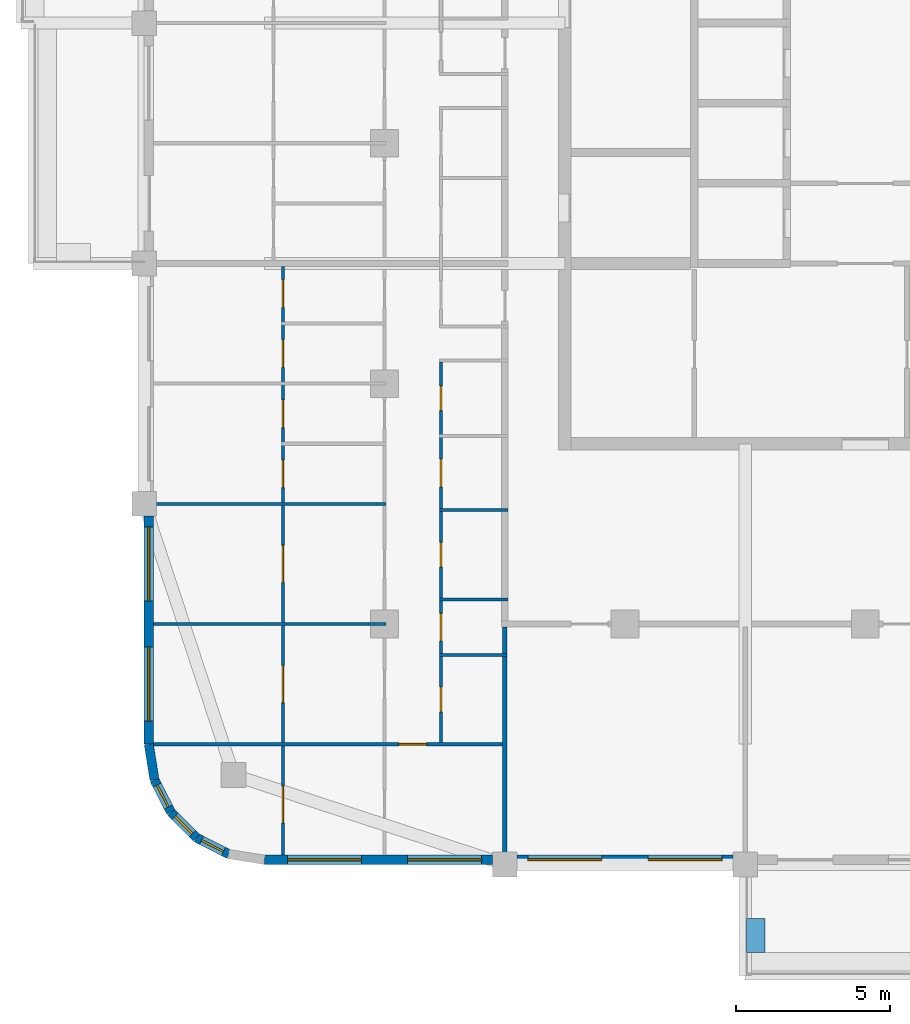
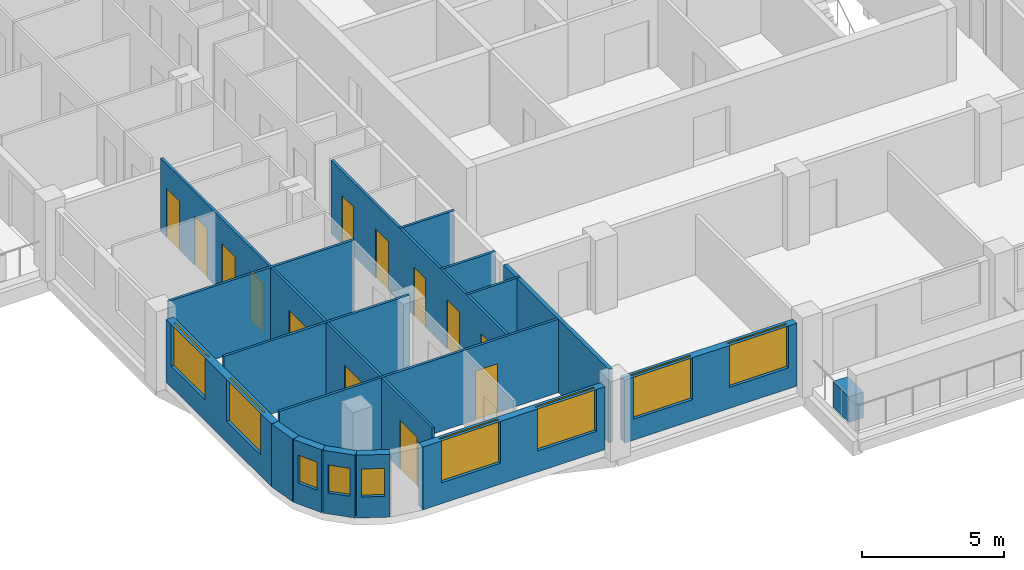
# One storey, part 2 of 15: 17 walls, 13 doors, 9 windows, 22 openings.
"""IFC4 building model written with IfcOpenShell, lengths in metres."""

from ifc_helpers import new_model, si_unit, direction, frame, frame_2d, origin, place, context, subcontext, project, spatial, rectangle, extrude, material, layer, layer_set, type_object, element, fill, save


model = new_model("IFC4")

# Units and contexts
model_context = context("Model", 3, precision=1e-05, world=origin(), true_north=direction((0.0, 1.0)))
body_context = subcontext(model_context, "Body", "Model", "MODEL_VIEW")
ifc_project = project(units=[si_unit("LENGTHUNIT", "METRE"), si_unit("AREAUNIT", "SQUARE_METRE"), si_unit("VOLUMEUNIT", "CUBIC_METRE"), si_unit("PLANEANGLEUNIT", "RADIAN"), si_unit("MASSUNIT", "GRAM", prefix="KILO")], contexts=[model_context])

# Site, building, storey
site_placement = place(None, origin())
site = spatial("IfcSite", under=ifc_project, at=site_placement, CompositionType="ELEMENT")
building_placement = place(site_placement, origin())
building = spatial("IfcBuilding", under=site, at=building_placement, Name="Ludao Terraces", CompositionType="ELEMENT")
storey_placement = place(building_placement, frame((0.0, 0.0, 197.300048828125)))
storey = spatial("IfcBuildingStorey", under=building, at=storey_placement, Name="L53", CompositionType="ELEMENT", Elevation=197.300048828125)

# Wall
ifc_material_1 = material(Name="Concrete C40", Category="concrete")
ifc_layer_1 = layer(ifc_material_1, 0.60009765625)
ifc_layer_set_1 = layer_set([ifc_layer_1], Name="ENV Planter trough 600")
wall_type_1 = type_object("IfcWallType", Name="ENV Planter trough 600", PredefinedType="USERDEFINED", material=ifc_layer_set_1)
wall_1_placement = place(storey_placement, frame((81.449951171875, 38.75, 0.0), z_axis=(0.0, 0.0, 1.0), x_axis=(0.0, 1.0, 0.0)))
element("IfcWall", 1, at=wall_1_placement, inside=storey, type_object=wall_type_1, Name="PL-L53-S1-SA", ObjectType="PLANTER", PredefinedType="USERDEFINED", context=body_context, shape_type="SweptSolid", body=[
    extrude(rectangle(XDim=1.10009765625, YDim=0.60009765625, at=frame_2d((0.550048828125, 0.0))), origin(), (0.0, 0.0, 1.0), 1.099853515625),
])

# Wall, openings, windows
ifc_material_2 = material(Name="Granite cladding", Category="masonry")
ifc_layer_2 = layer(ifc_material_2, 0.0400390625, Category="stone")
ifc_material_3 = material(Name="Mineral wool")
ifc_layer_3 = layer(ifc_material_3, 0.06005859375)
ifc_layer_4 = layer(ifc_material_1, 0.199951171875, Category="concrete")
ifc_layer_set_2 = layer_set([ifc_layer_2, ifc_layer_3, ifc_layer_4], Name="ENV Stone-clad wall 300")
wall_type_2 = type_object("IfcWallType", Name="ENV Stone-clad wall 300", PredefinedType="SOLIDWALL", material=ifc_layer_set_2)
wall_2_placement = place(storey_placement, frame((65.5, 41.75, 0.0), z_axis=(0.0, 0.0, 1.0), x_axis=(1.0, 0.0, 0.0)))
wall_2 = element("IfcWall", 2, at=wall_2_placement, inside=storey, type_object=wall_type_2, Name="EW-L53-S1", PredefinedType="SOLIDWALL", context=body_context, shape_type="SweptSolid", body=[
    extrude(rectangle(XDim=7.39990234375, YDim=0.300048828125, at=frame_2d((3.699951171875, 0.0))), origin(), (0.0, 0.0, 1.0), 2.699951171875),
])
opening_1_placement = place(wall_2_placement, frame((0.75, 0.0, 0.89990234375)))
opening_1 = element("IfcOpeningElement", 3, at=opening_1_placement, cuts=wall_2, Name="Opening W1", PredefinedType="OPENING", context=body_context, shape_type="SweptSolid", body=[
    extrude(rectangle(XDim=2.39990234375, YDim=1.800048828125, at=frame_2d((1.199951171875, 0.89990234375))), frame((0.0, 0.16015625, 0.0), z_axis=(0.0, -1.0, 0.0), x_axis=(1.0, 0.0, 0.0)), (0.0, 0.0, 1.0), 0.320068359375),
])
opening_2_placement = place(wall_2_placement, frame((4.64990234375, 0.0, 0.89990234375)))
opening_2 = element("IfcOpeningElement", 4, at=opening_2_placement, cuts=wall_2, Name="Opening W1", PredefinedType="OPENING", context=body_context, shape_type="SweptSolid", body=[
    extrude(rectangle(XDim=2.39990234375, YDim=1.800048828125, at=frame_2d((1.199951171875, 0.89990234375))), frame((0.0, 0.16015625, 0.0), z_axis=(0.0, -1.0, 0.0), x_axis=(1.0, 0.0, 0.0)), (0.0, 0.0, 1.0), 0.320068359375),
])
ifc_material_4 = material(Name="Clear glass in aluminium frame", Category="aluminium")
ifc_layer_5 = layer(ifc_material_4, 0.06005859375)
ifc_layer_set_3 = layer_set([ifc_layer_5], Name="ENV Window W1 2400x1800")
window_type_1 = type_object("IfcWindowType", Name="ENV Window W1 2400x1800", PartitioningType="DOUBLE_PANEL_VERTICAL", PredefinedType="WINDOW", material=ifc_layer_set_3)
window_1_placement = place(opening_1_placement, origin())
window_1 = element("IfcWindow", 5, at=window_1_placement, inside=storey, type_object=window_type_1, Name="W-L53-S1-1", OverallHeight=1.800048828125, OverallWidth=2.39990234375, PartitioningType="DOUBLE_PANEL_VERTICAL", PredefinedType="WINDOW", context=body_context, shape_type="SweptSolid", body=[
    extrude(rectangle(XDim=2.39990234375, YDim=1.800048828125, at=frame_2d((1.199951171875, 0.89990234375))), frame((0.0, 0.030029296875, 0.0), z_axis=(0.0, -1.0, 0.0), x_axis=(1.0, 0.0, 0.0)), (0.0, 0.0, 1.0), 0.06005859375),
])
fill(opening_1, window_1)
window_2_placement = place(opening_2_placement, origin())
window_2 = element("IfcWindow", 6, at=window_2_placement, inside=storey, type_object=window_type_1, Name="W-L53-S1-2", OverallHeight=1.800048828125, OverallWidth=2.39990234375, PartitioningType="DOUBLE_PANEL_VERTICAL", PredefinedType="WINDOW", context=body_context, shape_type="SweptSolid", body=[
    extrude(rectangle(XDim=2.39990234375, YDim=1.800048828125, at=frame_2d((1.199951171875, 0.89990234375))), frame((0.0, 0.030029296875, 0.0), z_axis=(0.0, -1.0, 0.0), x_axis=(1.0, 0.0, 0.0)), (0.0, 0.0, 1.0), 0.06005859375),
])
fill(opening_2, window_2)

wall_3_placement = place(storey_placement, frame((73.699951171875, 41.75, 0.0), z_axis=(0.0, 0.0, 1.0), x_axis=(1.0, 0.0, 0.0)))
wall_3 = element("IfcWall", 7, at=wall_3_placement, inside=storey, type_object=wall_type_2, Name="EW-L53-S2", PredefinedType="SOLIDWALL", context=body_context, shape_type="SweptSolid", body=[
    extrude(rectangle(XDim=7.0, YDim=0.300048828125, at=frame_2d((3.5, 0.0))), origin(), (0.0, 0.0, 1.0), 2.699951171875),
])
opening_3_placement = place(wall_3_placement, frame((0.35009765625, 0.0, 0.89990234375)))
opening_3 = element("IfcOpeningElement", 8, at=opening_3_placement, cuts=wall_3, Name="Opening W1", PredefinedType="OPENING", context=body_context, shape_type="SweptSolid", body=[
    extrude(rectangle(XDim=2.39990234375, YDim=1.800048828125, at=frame_2d((1.199951171875, 0.89990234375))), frame((0.0, 0.16015625, 0.0), z_axis=(0.0, -1.0, 0.0), x_axis=(1.0, 0.0, 0.0)), (0.0, 0.0, 1.0), 0.320068359375),
])
opening_4_placement = place(wall_3_placement, frame((4.25, 0.0, 0.89990234375)))
opening_4 = element("IfcOpeningElement", 9, at=opening_4_placement, cuts=wall_3, Name="Opening W1", PredefinedType="OPENING", context=body_context, shape_type="SweptSolid", body=[
    extrude(rectangle(XDim=2.39990234375, YDim=1.800048828125, at=frame_2d((1.199951171875, 0.89990234375))), frame((0.0, 0.16015625, 0.0), z_axis=(0.0, -1.0, 0.0), x_axis=(1.0, 0.0, 0.0)), (0.0, 0.0, 1.0), 0.320068359375),
])
window_3_placement = place(opening_3_placement, origin())
window_3 = element("IfcWindow", 10, at=window_3_placement, inside=storey, type_object=window_type_1, Name="W-L53-S2-1", OverallHeight=1.800048828125, OverallWidth=2.39990234375, PartitioningType="DOUBLE_PANEL_VERTICAL", PredefinedType="WINDOW", context=body_context, shape_type="SweptSolid", body=[
    extrude(rectangle(XDim=2.39990234375, YDim=1.800048828125, at=frame_2d((1.199951171875, 0.89990234375))), frame((0.0, 0.030029296875, 0.0), z_axis=(0.0, -1.0, 0.0), x_axis=(1.0, 0.0, 0.0)), (0.0, 0.0, 1.0), 0.06005859375),
])
fill(opening_3, window_3)
window_4_placement = place(opening_4_placement, origin())
window_4 = element("IfcWindow", 11, at=window_4_placement, inside=storey, type_object=window_type_1, Name="W-L53-S2-2", OverallHeight=1.800048828125, OverallWidth=2.39990234375, PartitioningType="DOUBLE_PANEL_VERTICAL", PredefinedType="WINDOW", context=body_context, shape_type="SweptSolid", body=[
    extrude(rectangle(XDim=2.39990234375, YDim=1.800048828125, at=frame_2d((1.199951171875, 0.89990234375))), frame((0.0, 0.030029296875, 0.0), z_axis=(0.0, -1.0, 0.0), x_axis=(1.0, 0.0, 0.0)), (0.0, 0.0, 1.0), 0.06005859375),
])
fill(opening_4, window_4)

wall_4_placement = place(storey_placement, frame((61.75, 45.5, 0.0), z_axis=(0.0, 0.0, 1.0), x_axis=(0.0, 1.0, 0.0)))
wall_4 = element("IfcWall", 12, at=wall_4_placement, inside=storey, type_object=wall_type_2, Name="EW-L53-W1", PredefinedType="SOLIDWALL", context=body_context, shape_type="SweptSolid", body=[
    extrude(rectangle(XDim=7.39990234375, YDim=0.300048828125, at=frame_2d((3.699951171875, 0.0))), origin(), (0.0, 0.0, 1.0), 2.699951171875),
])
opening_5_placement = place(wall_4_placement, frame((0.75, 0.0, 0.89990234375)))
opening_5 = element("IfcOpeningElement", 13, at=opening_5_placement, cuts=wall_4, Name="Opening W1", PredefinedType="OPENING", context=body_context, shape_type="SweptSolid", body=[
    extrude(rectangle(XDim=2.39990234375, YDim=1.800048828125, at=frame_2d((1.199951171875, 0.89990234375))), frame((0.0, 0.16015625, 0.0), z_axis=(0.0, -1.0, 0.0), x_axis=(1.0, 0.0, 0.0)), (0.0, 0.0, 1.0), 0.320068359375),
])
opening_6_placement = place(wall_4_placement, frame((4.64990234375, 0.0, 0.89990234375)))
opening_6 = element("IfcOpeningElement", 14, at=opening_6_placement, cuts=wall_4, Name="Opening W1", PredefinedType="OPENING", context=body_context, shape_type="SweptSolid", body=[
    extrude(rectangle(XDim=2.39990234375, YDim=1.800048828125, at=frame_2d((1.199951171875, 0.89990234375))), frame((0.0, 0.16015625, 0.0), z_axis=(0.0, -1.0, 0.0), x_axis=(1.0, 0.0, 0.0)), (0.0, 0.0, 1.0), 0.320068359375),
])
window_5_placement = place(opening_5_placement, origin())
window_5 = element("IfcWindow", 15, at=window_5_placement, inside=storey, type_object=window_type_1, Name="W-L53-W1-1", OverallHeight=1.800048828125, OverallWidth=2.39990234375, PartitioningType="DOUBLE_PANEL_VERTICAL", PredefinedType="WINDOW", context=body_context, shape_type="SweptSolid", body=[
    extrude(rectangle(XDim=2.39990234375, YDim=1.800048828125, at=frame_2d((1.199951171875, 0.89990234375))), frame((0.0, 0.030029296875, 0.0), z_axis=(0.0, -1.0, 0.0), x_axis=(1.0, 0.0, 0.0)), (0.0, 0.0, 1.0), 0.06005859375),
])
fill(opening_5, window_5)
window_6_placement = place(opening_6_placement, origin())
window_6 = element("IfcWindow", 16, at=window_6_placement, inside=storey, type_object=window_type_1, Name="W-L53-W1-2", OverallHeight=1.800048828125, OverallWidth=2.39990234375, PartitioningType="DOUBLE_PANEL_VERTICAL", PredefinedType="WINDOW", context=body_context, shape_type="SweptSolid", body=[
    extrude(rectangle(XDim=2.39990234375, YDim=1.800048828125, at=frame_2d((1.199951171875, 0.89990234375))), frame((0.0, 0.030029296875, 0.0), z_axis=(0.0, -1.0, 0.0), x_axis=(1.0, 0.0, 0.0)), (0.0, 0.0, 1.0), 0.06005859375),
])
fill(opening_6, window_6)

# Wall
wall_5_placement = place(storey_placement, frame((61.75, 45.5, 0.0), z_axis=(0.0, 0.0, 1.0), x_axis=(0.156496880861, -0.987678452879, 0.0)))
element("IfcWall", 17, at=wall_5_placement, inside=storey, type_object=wall_type_2, Name="EW-L53-SW1", PredefinedType="SOLIDWALL", context=body_context, shape_type="SweptSolid", body=[
    extrude(rectangle(XDim=1.173095703125, YDim=0.300048828125, at=frame_2d((0.58642578125, 0.0))), origin(), (0.0, 0.0, 1.0), 2.699951171875),
])

# Wall, opening, window
wall_6_placement = place(storey_placement, frame((61.93359375, 44.34130859375, 0.0), z_axis=(0.0, 0.0, 1.0), x_axis=(0.454025524128, -0.890988677504, 0.0)))
wall_6 = element("IfcWall", 18, at=wall_6_placement, inside=storey, type_object=wall_type_2, Name="EW-L53-SW2", PredefinedType="SOLIDWALL", context=body_context, shape_type="SweptSolid", body=[
    extrude(rectangle(XDim=1.17333984375, YDim=0.300048828125, at=frame_2d((0.586669921875, 0.0))), origin(), (0.0, 0.0, 1.0), 2.699951171875),
])
opening_7_placement = place(wall_6_placement, frame((0.1865234375, 0.0, 0.89990234375)))
opening_7 = element("IfcOpeningElement", 19, at=opening_7_placement, cuts=wall_6, Name="Opening W3", PredefinedType="OPENING", context=body_context, shape_type="SweptSolid", body=[
    extrude(rectangle(XDim=0.800048828125, YDim=1.199951171875, at=frame_2d((0.39990234375, 0.60009765625))), frame((0.0, 0.16015625, 0.0), z_axis=(0.0, -1.0, 0.0), x_axis=(1.0, 0.0, 0.0)), (0.0, 0.0, 1.0), 0.320068359375),
])
ifc_layer_6 = layer(ifc_material_4, 0.06005859375)
ifc_layer_set_4 = layer_set([ifc_layer_6], Name="ENV Window W3 800x1200")
window_type_2 = type_object("IfcWindowType", Name="ENV Window W3 800x1200", PartitioningType="SINGLE_PANEL", PredefinedType="WINDOW", material=ifc_layer_set_4)
window_7_placement = place(opening_7_placement, origin())
window_7 = element("IfcWindow", 20, at=window_7_placement, inside=storey, type_object=window_type_2, Name="W-L53-SW2", OverallHeight=1.199951171875, OverallWidth=0.800048828125, PartitioningType="SINGLE_PANEL", PredefinedType="WINDOW", context=body_context, shape_type="SweptSolid", body=[
    extrude(rectangle(XDim=0.800048828125, YDim=1.199951171875, at=frame_2d((0.39990234375, 0.60009765625))), frame((0.0, 0.030029296875, 0.0), z_axis=(0.0, -1.0, 0.0), x_axis=(1.0, 0.0, 0.0)), (0.0, 0.0, 1.0), 0.06005859375),
])
fill(opening_7, window_7)

wall_7_placement = place(storey_placement, frame((62.46630859375, 43.2958984375, 0.0), z_axis=(0.0, 0.0, 1.0), x_axis=(0.707106781187, -0.707106781187, 0.0)))
wall_7 = element("IfcWall", 21, at=wall_7_placement, inside=storey, type_object=wall_type_2, Name="EW-L53-SW3", PredefinedType="SOLIDWALL", context=body_context, shape_type="SweptSolid", body=[
    extrude(rectangle(XDim=1.173095703125, YDim=0.300048828125, at=frame_2d((0.58642578125, 0.0))), origin(), (0.0, 0.0, 1.0), 2.699951171875),
])
opening_8_placement = place(wall_7_placement, frame((0.1865234375, 0.0, 0.89990234375)))
opening_8 = element("IfcOpeningElement", 22, at=opening_8_placement, cuts=wall_7, Name="Opening W3", PredefinedType="OPENING", context=body_context, shape_type="SweptSolid", body=[
    extrude(rectangle(XDim=0.800048828125, YDim=1.199951171875, at=frame_2d((0.39990234375, 0.60009765625))), frame((0.0, 0.16015625, 0.0), z_axis=(0.0, -1.0, 0.0), x_axis=(1.0, 0.0, 0.0)), (0.0, 0.0, 1.0), 0.320068359375),
])
window_8_placement = place(opening_8_placement, origin())
window_8 = element("IfcWindow", 23, at=window_8_placement, inside=storey, type_object=window_type_2, Name="W-L53-SW3", OverallHeight=1.199951171875, OverallWidth=0.800048828125, PartitioningType="SINGLE_PANEL", PredefinedType="WINDOW", context=body_context, shape_type="SweptSolid", body=[
    extrude(rectangle(XDim=0.800048828125, YDim=1.199951171875, at=frame_2d((0.39990234375, 0.60009765625))), frame((0.0, 0.030029296875, 0.0), z_axis=(0.0, -1.0, 0.0), x_axis=(1.0, 0.0, 0.0)), (0.0, 0.0, 1.0), 0.06005859375),
])
fill(opening_8, window_8)

wall_8_placement = place(storey_placement, frame((63.2958984375, 42.46630859375, 0.0), z_axis=(0.0, 0.0, 1.0), x_axis=(0.890988677504, -0.454025524128, 0.0)))
wall_8 = element("IfcWall", 24, at=wall_8_placement, inside=storey, type_object=wall_type_2, Name="EW-L53-SW4", PredefinedType="SOLIDWALL", context=body_context, shape_type="SweptSolid", body=[
    extrude(rectangle(XDim=1.17333984375, YDim=0.300048828125, at=frame_2d((0.586669921875, 0.0))), origin(), (0.0, 0.0, 1.0), 2.699951171875),
])
opening_9_placement = place(wall_8_placement, frame((0.1865234375, 0.0, 0.89990234375)))
opening_9 = element("IfcOpeningElement", 25, at=opening_9_placement, cuts=wall_8, Name="Opening W3", PredefinedType="OPENING", context=body_context, shape_type="SweptSolid", body=[
    extrude(rectangle(XDim=0.800048828125, YDim=1.199951171875, at=frame_2d((0.39990234375, 0.60009765625))), frame((0.0, 0.16015625, 0.0), z_axis=(0.0, -1.0, 0.0), x_axis=(1.0, 0.0, 0.0)), (0.0, 0.0, 1.0), 0.320068359375),
])
window_9_placement = place(opening_9_placement, origin())
window_9 = element("IfcWindow", 26, at=window_9_placement, inside=storey, type_object=window_type_2, Name="W-L53-SW4", OverallHeight=1.199951171875, OverallWidth=0.800048828125, PartitioningType="SINGLE_PANEL", PredefinedType="WINDOW", context=body_context, shape_type="SweptSolid", body=[
    extrude(rectangle(XDim=0.800048828125, YDim=1.199951171875, at=frame_2d((0.39990234375, 0.60009765625))), frame((0.0, 0.030029296875, 0.0), z_axis=(0.0, -1.0, 0.0), x_axis=(1.0, 0.0, 0.0)), (0.0, 0.0, 1.0), 0.06005859375),
])
fill(opening_9, window_9)

# Wall, opening, door
ifc_material_5 = material(Name="Gypsum plasterboard", Category="gypsum")
ifc_layer_7 = layer(ifc_material_5, 0.012451171875, Category="gypsum")
ifc_layer_8 = layer(ifc_material_3, 0.06005859375, Name="insulation")
ifc_material_6 = material(Name="Steel Q235", Category="steel")
ifc_layer_9 = layer(ifc_material_6, 0.014892578125, Name="stud")
ifc_layer_10 = layer(ifc_material_5, 0.012451171875, Category="gypsum")
ifc_layer_set_5 = layer_set([ifc_layer_7, ifc_layer_8, ifc_layer_9, ifc_layer_10], Name="INT Partition 100")
wall_type_3 = type_object("IfcWallType", Name="INT Partition 100", PredefinedType="PARTITIONING", material=ifc_layer_set_5)
wall_9_placement = place(storey_placement, frame((61.900146484375, 45.5, 0.0), z_axis=(0.0, 0.0, 1.0), x_axis=(1.0, 0.0, 0.0)))
wall_9 = element("IfcWall", 27, at=wall_9_placement, inside=storey, type_object=wall_type_3, Name="PW-L53-PW000", PredefinedType="PARTITIONING", context=body_context, shape_type="SweptSolid", body=[
    extrude(rectangle(XDim=11.474853515625, YDim=0.10009765625, at=frame_2d((5.7373046875, 0.0))), origin(), (0.0, 0.0, 1.0), 3.14990234375),
])
opening_10_placement = place(wall_9_placement, frame((7.965087890625, 0.0, 0.0)))
opening_10 = element("IfcOpeningElement", 28, at=opening_10_placement, cuts=wall_9, Name="Opening R19-005", PredefinedType="OPENING", context=body_context, shape_type="SweptSolid", body=[
    extrude(rectangle(XDim=0.89990234375, YDim=2.10009765625, at=frame_2d((0.449951171875, 1.050048828125))), frame((0.0, 0.06005859375, 0.0), z_axis=(0.0, -1.0, 0.0), x_axis=(1.0, 0.0, 0.0)), (0.0, 0.0, 1.0), 0.1201171875),
])
ifc_material_7 = material(Name="Timber door leaf", Category="wood")
door_type_1 = type_object("IfcDoorType", Name="INT Room door 900", OperationType="SINGLE_SWING_LEFT", PredefinedType="DOOR", material=ifc_material_7)
door_1_placement = place(opening_10_placement, origin())
door_1 = element("IfcDoor", 29, at=door_1_placement, inside=storey, type_object=door_type_1, Name="DOOR 005", OperationType="SINGLE_SWING_RIGHT", OverallHeight=2.10009765625, OverallWidth=0.89990234375, PredefinedType="DOOR", context=body_context, shape_type="SweptSolid", body=[
    extrude(rectangle(XDim=0.89990234375, YDim=2.10009765625, at=frame_2d((0.449951171875, 1.050048828125))), frame((0.0, 0.02490234375, 0.0), z_axis=(0.0, -1.0, 0.0), x_axis=(1.0, 0.0, 0.0)), (0.0, 0.0, 1.0), 0.050048828125),
])
fill(opening_10, door_1)

# Walls
wall_10_placement = place(storey_placement, frame((71.18017578125, 48.39990234375, 0.0), z_axis=(0.0, 0.0, 1.0), x_axis=(1.0, 0.0, 0.0)))
element("IfcWall", 30, at=wall_10_placement, inside=storey, type_object=wall_type_3, Name="PW-L53-PW003", PredefinedType="PARTITIONING", context=body_context, shape_type="SweptSolid", body=[
    extrude(rectangle(XDim=2.19482421875, YDim=0.10009765625, at=frame_2d((1.097412109375, 0.0))), origin(), (0.0, 0.0, 1.0), 3.14990234375),
])
wall_11_placement = place(storey_placement, frame((61.900146484375, 49.39990234375, 0.0), z_axis=(0.0, 0.0, 1.0), x_axis=(1.0, 0.0, 0.0)))
element("IfcWall", 31, at=wall_11_placement, inside=storey, type_object=wall_type_3, Name="PW-L53-PW004", PredefinedType="PARTITIONING", context=body_context, shape_type="SweptSolid", body=[
    extrude(rectangle(XDim=7.550048828125, YDim=0.10009765625, at=frame_2d((3.77490234375, 0.0))), origin(), (0.0, 0.0, 1.0), 3.14990234375),
])
for number, where, z_axis, x_axis, name in (
    (32, (71.18017578125, 50.199951171875, 0.0), (0.0, 0.0, 1.0), (1.0, 0.0, 0.0), "PW-L53-PW007"),
    (33, (71.18017578125, 53.10009765625, 0.0), (0.0, 0.0, 1.0), (1.0, 0.0, 0.0), "PW-L53-PW011"),
):
    element("IfcWall", number, at=place(storey_placement, frame(where, z_axis=z_axis, x_axis=x_axis)), inside=storey, type_object=wall_type_3, Name=name, PredefinedType="PARTITIONING", context=body_context, shape_type="SweptSolid", body=[
        extrude(rectangle(XDim=2.219970703125, YDim=0.10009765625, at=frame_2d((1.10986328125, 0.0))), origin(), (0.0, 0.0, 1.0), 3.14990234375),
    ])
wall_12_placement = place(storey_placement, frame((61.900146484375, 53.300048828125, 0.0), z_axis=(0.0, 0.0, 1.0), x_axis=(1.0, 0.0, 0.0)))
element("IfcWall", 34, at=wall_12_placement, inside=storey, type_object=wall_type_3, Name="PW-L53-PW012", PredefinedType="PARTITIONING", context=body_context, shape_type="SweptSolid", body=[
    extrude(rectangle(XDim=7.550048828125, YDim=0.10009765625, at=frame_2d((3.77490234375, 0.0))), origin(), (0.0, 0.0, 1.0), 3.14990234375),
])

# Wall, openings, doors
wall_13_placement = place(storey_placement, frame((66.10009765625, 41.900146484375, 0.0), z_axis=(0.0, 0.0, 1.0), x_axis=(0.0, 1.0, 0.0)))
wall_13 = element("IfcWall", 35, at=wall_13_placement, inside=storey, type_object=wall_type_3, Name="PW-L53-PW076", PredefinedType="PARTITIONING", context=body_context, shape_type="SweptSolid", body=[
    extrude(rectangle(XDim=19.099853515625, YDim=0.10009765625, at=frame_2d((9.5498046875, 0.0))), origin(), (0.0, 0.0, 1.0), 3.14990234375),
])
opening_11_placement = place(wall_13_placement, frame((1.050048828125, 0.0, 0.0)))
opening_11 = element("IfcOpeningElement", 36, at=opening_11_placement, cuts=wall_13, Name="Opening R19-001", PredefinedType="OPENING", context=body_context, shape_type="SweptSolid", body=[
    extrude(rectangle(XDim=1.199951171875, YDim=2.10009765625, at=frame_2d((0.60009765625, 1.050048828125))), frame((0.0, 0.06005859375, 0.0), z_axis=(0.0, -1.0, 0.0), x_axis=(1.0, 0.0, 0.0)), (0.0, 0.0, 1.0), 0.1201171875),
])
opening_12_placement = place(wall_13_placement, frame((4.949951171875, 0.0, 0.0)))
opening_12 = element("IfcOpeningElement", 37, at=opening_12_placement, cuts=wall_13, Name="Opening R19-009", PredefinedType="OPENING", context=body_context, shape_type="SweptSolid", body=[
    extrude(rectangle(XDim=1.199951171875, YDim=2.10009765625, at=frame_2d((0.60009765625, 1.050048828125))), frame((0.0, 0.06005859375, 0.0), z_axis=(0.0, -1.0, 0.0), x_axis=(1.0, 0.0, 0.0)), (0.0, 0.0, 1.0), 0.1201171875),
])
opening_13_placement = place(wall_13_placement, frame((8.85009765625, 0.0, 0.0)))
opening_13 = element("IfcOpeningElement", 38, at=opening_13_placement, cuts=wall_13, Name="Opening R19-019", PredefinedType="OPENING", context=body_context, shape_type="SweptSolid", body=[
    extrude(rectangle(XDim=1.199951171875, YDim=2.10009765625, at=frame_2d((0.60009765625, 1.050048828125))), frame((0.0, 0.06005859375, 0.0), z_axis=(0.0, -1.0, 0.0), x_axis=(1.0, 0.0, 0.0)), (0.0, 0.0, 1.0), 0.1201171875),
])
opening_14_placement = place(wall_13_placement, frame((11.925048828125, 0.0, 0.0)))
opening_14 = element("IfcOpeningElement", 39, at=opening_14_placement, cuts=wall_13, Name="Opening R19-026", PredefinedType="OPENING", context=body_context, shape_type="SweptSolid", body=[
    extrude(rectangle(XDim=0.89990234375, YDim=2.10009765625, at=frame_2d((0.449951171875, 1.050048828125))), frame((0.0, 0.06005859375, 0.0), z_axis=(0.0, -1.0, 0.0), x_axis=(1.0, 0.0, 0.0)), (0.0, 0.0, 1.0), 0.1201171875),
])
opening_15_placement = place(wall_13_placement, frame((13.875, 0.0, 0.0)))
opening_15 = element("IfcOpeningElement", 40, at=opening_15_placement, cuts=wall_13, Name="Opening R19-032", PredefinedType="OPENING", context=body_context, shape_type="SweptSolid", body=[
    extrude(rectangle(XDim=0.89990234375, YDim=2.10009765625, at=frame_2d((0.449951171875, 1.050048828125))), frame((0.0, 0.06005859375, 0.0), z_axis=(0.0, -1.0, 0.0), x_axis=(1.0, 0.0, 0.0)), (0.0, 0.0, 1.0), 0.1201171875),
])
opening_16_placement = place(wall_13_placement, frame((15.824951171875, 0.0, 0.0)))
opening_16 = element("IfcOpeningElement", 41, at=opening_16_placement, cuts=wall_13, Name="Opening R19-039", PredefinedType="OPENING", context=body_context, shape_type="SweptSolid", body=[
    extrude(rectangle(XDim=0.89990234375, YDim=2.10009765625, at=frame_2d((0.449951171875, 1.050048828125))), frame((0.0, 0.06005859375, 0.0), z_axis=(0.0, -1.0, 0.0), x_axis=(1.0, 0.0, 0.0)), (0.0, 0.0, 1.0), 0.1201171875),
])
opening_17_placement = place(wall_13_placement, frame((17.77490234375, 0.0, 0.0)))
opening_17 = element("IfcOpeningElement", 42, at=opening_17_placement, cuts=wall_13, Name="Opening R19-044", PredefinedType="OPENING", context=body_context, shape_type="SweptSolid", body=[
    extrude(rectangle(XDim=0.89990234375, YDim=2.10009765625, at=frame_2d((0.449951171875, 1.050048828125))), frame((0.0, 0.06005859375, 0.0), z_axis=(0.0, -1.0, 0.0), x_axis=(1.0, 0.0, 0.0)), (0.0, 0.0, 1.0), 0.1201171875),
])
door_type_2 = type_object("IfcDoorType", Name="INT Bathroom door 900", OperationType="SINGLE_SWING_LEFT", PredefinedType="DOOR", material=ifc_material_7)
door_2_placement = place(opening_14_placement, origin())
door_2 = element("IfcDoor", 43, at=door_2_placement, inside=storey, type_object=door_type_2, Name="DOOR 026", OperationType="SINGLE_SWING_RIGHT", OverallHeight=2.10009765625, OverallWidth=0.89990234375, PredefinedType="DOOR", context=body_context, shape_type="SweptSolid", body=[
    extrude(rectangle(XDim=0.89990234375, YDim=2.10009765625, at=frame_2d((0.449951171875, 1.050048828125))), frame((0.0, 0.02490234375, 0.0), z_axis=(0.0, -1.0, 0.0), x_axis=(1.0, 0.0, 0.0)), (0.0, 0.0, 1.0), 0.050048828125),
])
fill(opening_14, door_2)
door_3_placement = place(opening_16_placement, origin())
door_3 = element("IfcDoor", 44, at=door_3_placement, inside=storey, type_object=door_type_2, Name="DOOR 039", OperationType="SINGLE_SWING_RIGHT", OverallHeight=2.10009765625, OverallWidth=0.89990234375, PredefinedType="DOOR", context=body_context, shape_type="SweptSolid", body=[
    extrude(rectangle(XDim=0.89990234375, YDim=2.10009765625, at=frame_2d((0.449951171875, 1.050048828125))), frame((0.0, 0.02490234375, 0.0), z_axis=(0.0, -1.0, 0.0), x_axis=(1.0, 0.0, 0.0)), (0.0, 0.0, 1.0), 0.050048828125),
])
fill(opening_16, door_3)
door_type_3 = type_object("IfcDoorType", Name="INT Double door 1200", OperationType="DOUBLE_DOOR_SINGLE_SWING", PredefinedType="DOOR", material=ifc_material_7)
door_4_placement = place(opening_11_placement, origin())
door_4 = element("IfcDoor", 45, at=door_4_placement, inside=storey, type_object=door_type_3, Name="DOOR 001", OperationType="DOUBLE_DOOR_SINGLE_SWING", OverallHeight=2.10009765625, OverallWidth=1.199951171875, PredefinedType="DOOR", context=body_context, shape_type="SweptSolid", body=[
    extrude(rectangle(XDim=1.199951171875, YDim=2.10009765625, at=frame_2d((0.60009765625, 1.050048828125))), frame((0.0, 0.02490234375, 0.0), z_axis=(0.0, -1.0, 0.0), x_axis=(1.0, 0.0, 0.0)), (0.0, 0.0, 1.0), 0.050048828125),
])
fill(opening_11, door_4)
door_5_placement = place(opening_12_placement, origin())
door_5 = element("IfcDoor", 46, at=door_5_placement, inside=storey, type_object=door_type_3, Name="DOOR 009", OperationType="DOUBLE_DOOR_SINGLE_SWING", OverallHeight=2.10009765625, OverallWidth=1.199951171875, PredefinedType="DOOR", context=body_context, shape_type="SweptSolid", body=[
    extrude(rectangle(XDim=1.199951171875, YDim=2.10009765625, at=frame_2d((0.60009765625, 1.050048828125))), frame((0.0, 0.02490234375, 0.0), z_axis=(0.0, -1.0, 0.0), x_axis=(1.0, 0.0, 0.0)), (0.0, 0.0, 1.0), 0.050048828125),
])
fill(opening_12, door_5)
door_6_placement = place(opening_13_placement, origin())
door_6 = element("IfcDoor", 47, at=door_6_placement, inside=storey, type_object=door_type_3, Name="DOOR 019", OperationType="DOUBLE_DOOR_SINGLE_SWING", OverallHeight=2.10009765625, OverallWidth=1.199951171875, PredefinedType="DOOR", context=body_context, shape_type="SweptSolid", body=[
    extrude(rectangle(XDim=1.199951171875, YDim=2.10009765625, at=frame_2d((0.60009765625, 1.050048828125))), frame((0.0, 0.02490234375, 0.0), z_axis=(0.0, -1.0, 0.0), x_axis=(1.0, 0.0, 0.0)), (0.0, 0.0, 1.0), 0.050048828125),
])
fill(opening_13, door_6)
door_7_placement = place(opening_15_placement, origin())
door_7 = element("IfcDoor", 48, at=door_7_placement, inside=storey, type_object=door_type_1, Name="DOOR 032", OperationType="SINGLE_SWING_LEFT", OverallHeight=2.10009765625, OverallWidth=0.89990234375, PredefinedType="DOOR", context=body_context, shape_type="SweptSolid", body=[
    extrude(rectangle(XDim=0.89990234375, YDim=2.10009765625, at=frame_2d((0.449951171875, 1.050048828125))), frame((0.0, 0.02490234375, 0.0), z_axis=(0.0, -1.0, 0.0), x_axis=(1.0, 0.0, 0.0)), (0.0, 0.0, 1.0), 0.050048828125),
])
fill(opening_15, door_7)
door_8_placement = place(opening_17_placement, origin())
door_8 = element("IfcDoor", 49, at=door_8_placement, inside=storey, type_object=door_type_1, Name="DOOR 044", OperationType="SINGLE_SWING_RIGHT", OverallHeight=2.10009765625, OverallWidth=0.89990234375, PredefinedType="DOOR", context=body_context, shape_type="SweptSolid", body=[
    extrude(rectangle(XDim=0.89990234375, YDim=2.10009765625, at=frame_2d((0.449951171875, 1.050048828125))), frame((0.0, 0.02490234375, 0.0), z_axis=(0.0, -1.0, 0.0), x_axis=(1.0, 0.0, 0.0)), (0.0, 0.0, 1.0), 0.050048828125),
])
fill(opening_17, door_8)

wall_14_placement = place(storey_placement, frame((71.22998046875, 45.550048828125, 0.0), z_axis=(0.0, 0.0, 1.0), x_axis=(0.0, 1.0, 0.0)))
wall_14 = element("IfcWall", 50, at=wall_14_placement, inside=storey, type_object=wall_type_3, Name="PW-L53-PW078", PredefinedType="PARTITIONING", context=body_context, shape_type="SweptSolid", body=[
    extrude(rectangle(XDim=12.35009765625, YDim=0.10009765625, at=frame_2d((6.175048828125, 0.0))), origin(), (0.0, 0.0, 1.0), 3.14990234375),
])
opening_18_placement = place(wall_14_placement, frame((1.0, 0.0, 0.0)))
opening_18 = element("IfcOpeningElement", 51, at=opening_18_placement, cuts=wall_14, Name="Opening R19-008", PredefinedType="OPENING", context=body_context, shape_type="SweptSolid", body=[
    extrude(rectangle(XDim=0.800048828125, YDim=2.10009765625, at=frame_2d((0.39990234375, 1.050048828125))), frame((0.0, 0.06005859375, 0.0), z_axis=(0.0, -1.0, 0.0), x_axis=(1.0, 0.0, 0.0)), (0.0, 0.0, 1.0), 0.1201171875),
])
opening_19_placement = place(wall_14_placement, frame((3.300048828125, 0.0, 0.0)))
opening_19 = element("IfcOpeningElement", 52, at=opening_19_placement, cuts=wall_14, Name="Opening R19-013", PredefinedType="OPENING", context=body_context, shape_type="SweptSolid", body=[
    extrude(rectangle(XDim=0.89990234375, YDim=2.10009765625, at=frame_2d((0.449951171875, 1.050048828125))), frame((0.0, 0.06005859375, 0.0), z_axis=(0.0, -1.0, 0.0), x_axis=(1.0, 0.0, 0.0)), (0.0, 0.0, 1.0), 0.1201171875),
])
opening_20_placement = place(wall_14_placement, frame((5.699951171875, 0.0, 0.0)))
opening_20 = element("IfcOpeningElement", 53, at=opening_20_placement, cuts=wall_14, Name="Opening R19-021", PredefinedType="OPENING", context=body_context, shape_type="SweptSolid", body=[
    extrude(rectangle(XDim=0.800048828125, YDim=2.10009765625, at=frame_2d((0.39990234375, 1.050048828125))), frame((0.0, 0.06005859375, 0.0), z_axis=(0.0, -1.0, 0.0), x_axis=(1.0, 0.0, 0.0)), (0.0, 0.0, 1.0), 0.1201171875),
])
opening_21_placement = place(wall_14_placement, frame((8.300048828125, 0.0, 0.0)))
opening_21 = element("IfcOpeningElement", 54, at=opening_21_placement, cuts=wall_14, Name="Opening R19-027", PredefinedType="OPENING", context=body_context, shape_type="SweptSolid", body=[
    extrude(rectangle(XDim=0.89990234375, YDim=2.10009765625, at=frame_2d((0.449951171875, 1.050048828125))), frame((0.0, 0.06005859375, 0.0), z_axis=(0.0, -1.0, 0.0), x_axis=(1.0, 0.0, 0.0)), (0.0, 0.0, 1.0), 0.1201171875),
])
opening_22_placement = place(wall_14_placement, frame((10.77490234375, 0.0, 0.0)))
opening_22 = element("IfcOpeningElement", 55, at=opening_22_placement, cuts=wall_14, Name="Opening R19-035", PredefinedType="OPENING", context=body_context, shape_type="SweptSolid", body=[
    extrude(rectangle(XDim=0.800048828125, YDim=2.10009765625, at=frame_2d((0.39990234375, 1.050048828125))), frame((0.0, 0.06005859375, 0.0), z_axis=(0.0, -1.0, 0.0), x_axis=(1.0, 0.0, 0.0)), (0.0, 0.0, 1.0), 0.1201171875),
])
door_9_placement = place(opening_19_placement, origin())
door_9 = element("IfcDoor", 56, at=door_9_placement, inside=storey, type_object=door_type_2, Name="DOOR 013", OperationType="SINGLE_SWING_RIGHT", OverallHeight=2.10009765625, OverallWidth=0.89990234375, PredefinedType="DOOR", context=body_context, shape_type="SweptSolid", body=[
    extrude(rectangle(XDim=0.89990234375, YDim=2.10009765625, at=frame_2d((0.449951171875, 1.050048828125))), frame((0.0, 0.02490234375, 0.0), z_axis=(0.0, -1.0, 0.0), x_axis=(1.0, 0.0, 0.0)), (0.0, 0.0, 1.0), 0.050048828125),
])
fill(opening_19, door_9)
door_10_placement = place(opening_21_placement, origin())
door_10 = element("IfcDoor", 57, at=door_10_placement, inside=storey, type_object=door_type_2, Name="DOOR 027", OperationType="SINGLE_SWING_RIGHT", OverallHeight=2.10009765625, OverallWidth=0.89990234375, PredefinedType="DOOR", context=body_context, shape_type="SweptSolid", body=[
    extrude(rectangle(XDim=0.89990234375, YDim=2.10009765625, at=frame_2d((0.449951171875, 1.050048828125))), frame((0.0, 0.02490234375, 0.0), z_axis=(0.0, -1.0, 0.0), x_axis=(1.0, 0.0, 0.0)), (0.0, 0.0, 1.0), 0.050048828125),
])
fill(opening_21, door_10)
door_type_4 = type_object("IfcDoorType", Name="INT Store door 800", OperationType="SINGLE_SWING_LEFT", PredefinedType="DOOR", material=ifc_material_7)
door_11_placement = place(opening_18_placement, origin())
door_11 = element("IfcDoor", 58, at=door_11_placement, inside=storey, type_object=door_type_4, Name="DOOR 008", OperationType="SINGLE_SWING_LEFT", OverallHeight=2.10009765625, OverallWidth=0.800048828125, PredefinedType="DOOR", context=body_context, shape_type="SweptSolid", body=[
    extrude(rectangle(XDim=0.800048828125, YDim=2.10009765625, at=frame_2d((0.39990234375, 1.050048828125))), frame((0.0, 0.02490234375, 0.0), z_axis=(0.0, -1.0, 0.0), x_axis=(1.0, 0.0, 0.0)), (0.0, 0.0, 1.0), 0.050048828125),
])
fill(opening_18, door_11)
door_12_placement = place(opening_20_placement, origin())
door_12 = element("IfcDoor", 59, at=door_12_placement, inside=storey, type_object=door_type_4, Name="DOOR 021", OperationType="SINGLE_SWING_LEFT", OverallHeight=2.10009765625, OverallWidth=0.800048828125, PredefinedType="DOOR", context=body_context, shape_type="SweptSolid", body=[
    extrude(rectangle(XDim=0.800048828125, YDim=2.10009765625, at=frame_2d((0.39990234375, 1.050048828125))), frame((0.0, 0.02490234375, 0.0), z_axis=(0.0, -1.0, 0.0), x_axis=(1.0, 0.0, 0.0)), (0.0, 0.0, 1.0), 0.050048828125),
])
fill(opening_20, door_12)
door_13_placement = place(opening_22_placement, origin())
door_13 = element("IfcDoor", 60, at=door_13_placement, inside=storey, type_object=door_type_4, Name="DOOR 035", OperationType="SINGLE_SWING_LEFT", OverallHeight=2.10009765625, OverallWidth=0.800048828125, PredefinedType="DOOR", context=body_context, shape_type="SweptSolid", body=[
    extrude(rectangle(XDim=0.800048828125, YDim=2.10009765625, at=frame_2d((0.39990234375, 1.050048828125))), frame((0.0, 0.02490234375, 0.0), z_axis=(0.0, -1.0, 0.0), x_axis=(1.0, 0.0, 0.0)), (0.0, 0.0, 1.0), 0.050048828125),
])
fill(opening_22, door_13)

# Wall
ifc_material_8 = material(Name="Autoclaved aerated concrete block B06 A3.5", Category="concrete")
ifc_layer_11 = layer(ifc_material_8, 0.14990234375)
ifc_layer_set_6 = layer_set([ifc_layer_11], Name="INT Party wall 150")
wall_type_4 = type_object("IfcWallType", Name="INT Party wall 150", PredefinedType="PARTITIONING", material=ifc_layer_set_6)
wall_15_placement = place(storey_placement, frame((73.300048828125, 41.900146484375, 0.0), z_axis=(0.0, 0.0, 1.0), x_axis=(0.0, 1.0, 0.0)))
element("IfcWall", 61, at=wall_15_placement, inside=storey, type_object=wall_type_4, Name="PW-L53-PW082", PredefinedType="PARTITIONING", context=body_context, shape_type="SweptSolid", body=[
    extrude(rectangle(XDim=7.39990234375, YDim=0.14990234375, at=frame_2d((3.699951171875, 0.0))), origin(), (0.0, 0.0, 1.0), 3.14990234375),
])

save(model, "model.ifc")
